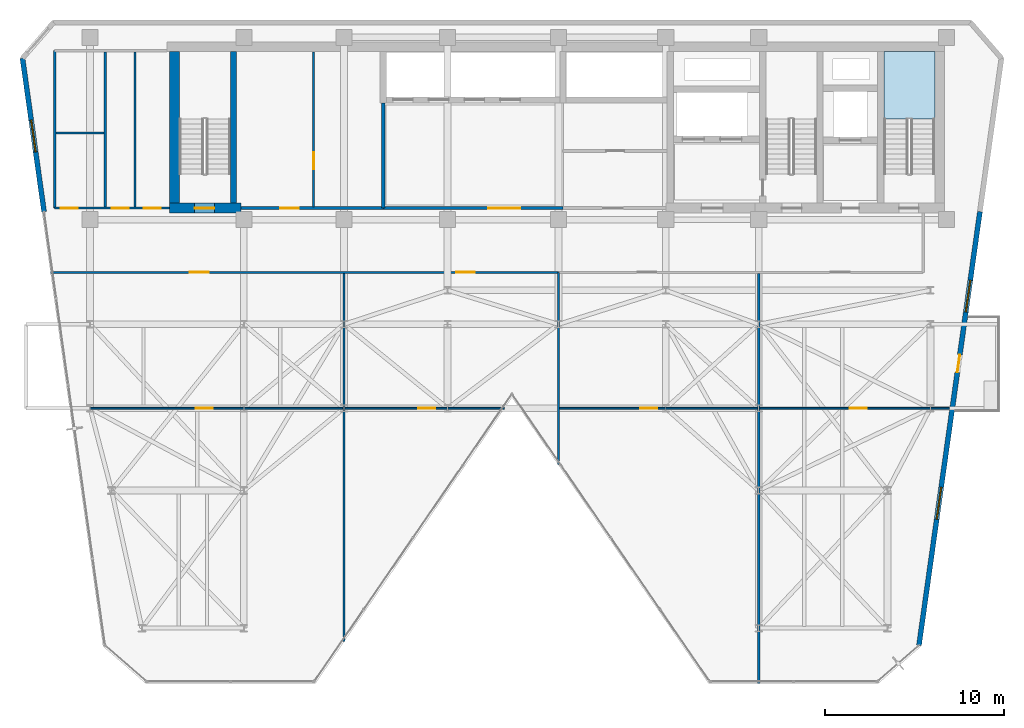
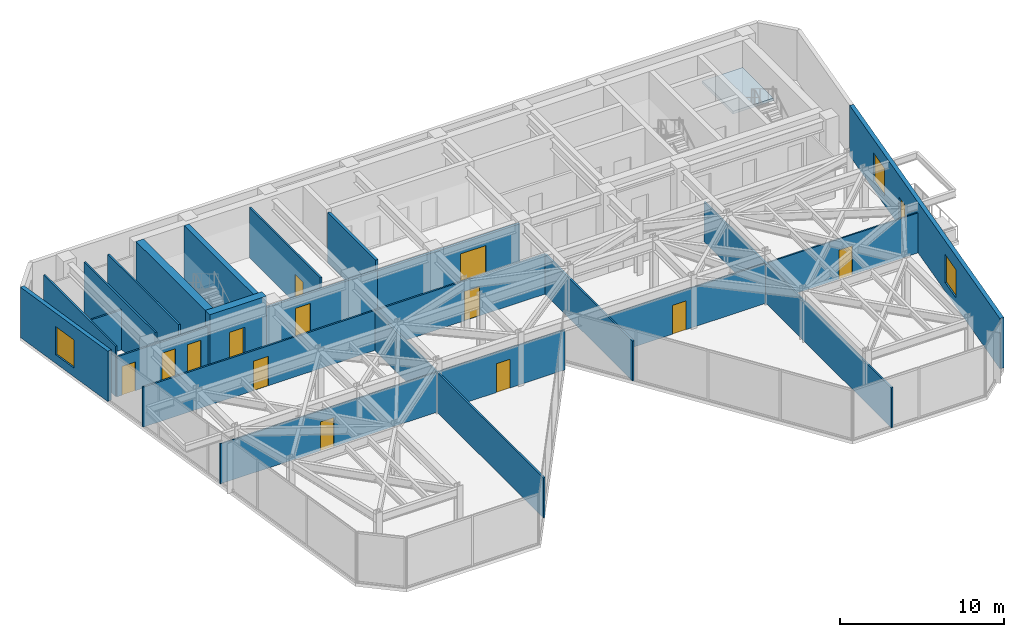
# One storey, part 22 of 26: 22 walls, 14 doors, 3 windows, 1 slab, 17 openings, 1 element without a shape of its own.
"""IFC4 building model written with IfcOpenShell, lengths in metres."""

from ifc_helpers import new_model, si_unit, direction, frame, frame_2d, origin, place, context, subcontext, project, spatial, polyline, rectangle, outline, extrude, material, layer, layer_set, type_object, element, fill, aggregate, save


model = new_model("IFC4")

# Units and contexts
model_context = context("Model", 3, precision=1e-05, world=origin(), true_north=direction((0.0, 1.0)))
body_context = subcontext(model_context, "Body", "Model", "MODEL_VIEW")
ifc_project = project(units=[si_unit("LENGTHUNIT", "METRE"), si_unit("AREAUNIT", "SQUARE_METRE"), si_unit("VOLUMEUNIT", "CUBIC_METRE"), si_unit("PLANEANGLEUNIT", "RADIAN"), si_unit("MASSUNIT", "GRAM", prefix="KILO")], contexts=[model_context])

# Site, building, storey
site_placement = place(None, origin())
site = spatial("IfcSite", under=ifc_project, at=site_placement, CompositionType="ELEMENT")
building_placement = place(site_placement, origin())
building = spatial("IfcBuilding", under=site, at=building_placement, Name="Kravanh Interchange Tower", CompositionType="ELEMENT")
storey_placement = place(building_placement, frame((0.0, 0.0, 204.5)))
storey = spatial("IfcBuildingStorey", under=building, at=storey_placement, Name="L49", CompositionType="ELEMENT", Elevation=204.5)

# Stair, slab
ifc_material_1 = material(Name="Concrete C50/60", Category="concrete")
stair_type = type_object("IfcStairType", Name="Core Fire Exit Dogleg Stair Concrete C50/60", PredefinedType="HALF_TURN_STAIR", material=ifc_material_1)
stair_placement = place(storey_placement, origin())
stair = element("IfcStair", 1, at=stair_placement, inside=storey, type_object=stair_type, Name="L49 Exit Stair ST1", PredefinedType="HALF_TURN_STAIR")
ifc_material_2 = material(Name="Concrete C50/60", Category="concrete")
ifc_layer_1 = layer(ifc_material_2, 0.199951171875)
ifc_layer_set_1 = layer_set([ifc_layer_1], Name="Concrete C50/60 Stair Half-Landing Slab 200mm")
slab_type = type_object("IfcSlabType", Name="Concrete C50/60 Stair Half-Landing Slab 200mm", PredefinedType="LANDING", material=ifc_layer_set_1)
slab_placement = place(storey_placement, frame((0.0, 0.0, 1.800048828125)))
slab = element("IfcSlab", 2, at=slab_placement, type_object=slab_type, Name="ST1 landing 1", PredefinedType="LANDING", context=body_context, shape_type="SweptSolid", body=[
    extrude(outline(polyline([(65.85009765625, 42.97998046875), (65.85009765625, 46.75), (63.0, 46.75), (63.0, 42.97998046875), (65.85009765625, 42.97998046875)])), origin(), (0.0, 0.0, 1.0), 0.199951171875),
])
aggregate(stair, [slab])

# Wall, opening, door
ifc_material_3 = material(Name="Double Acoustic Gypsum Board and Mineral Wool")
ifc_layer_2 = layer(ifc_material_3, 0.1201171875)
ifc_layer_set_2 = layer_set([ifc_layer_2], Name="Acoustic Office Drywall Partition 120mm")
wall_type_1 = type_object("IfcWallType", Name="Acoustic Office Drywall Partition 120mm", PredefinedType="PARTITIONING", material=ifc_layer_set_2)
wall_1_placement = place(storey_placement, frame((31.10009765625, 38.068115234375, 0.0), z_axis=(0.0, 0.0, 1.0), x_axis=(0.0, 1.0, 0.0)))
wall_1 = element("IfcWall", 3, at=wall_1_placement, inside=storey, type_object=wall_type_1, Name="L49 Interior Partition 5", PredefinedType="PARTITIONING", context=body_context, shape_type="SweptSolid", body=[
    extrude(rectangle(XDim=8.673828125, YDim=0.1201171875, at=frame_2d((4.3369140625, 0.0))), origin(), (0.0, 0.0, 1.0), 3.7548828125),
])
opening_1_placement = place(wall_1_placement, frame((2.115966796875, 0.0, 0.0)))
opening_1 = element("IfcOpeningElement", 4, at=opening_1_placement, cuts=wall_1, Name="Opening D-95", PredefinedType="OPENING", context=body_context, shape_type="SweptSolid", body=[
    extrude(rectangle(XDim=0.949951171875, YDim=2.14990234375, at=frame_2d((0.47509765625, 1.074951171875))), frame((0.0, 0.070068359375, 0.0), z_axis=(0.0, -1.0, 0.0), x_axis=(1.0, 0.0, 0.0)), (0.0, 0.0, 1.0), 0.14013671875),
])
ifc_material_4 = material(Name="Laminate Solid-Core Timber", Category="wood")
door_type_1 = type_object("IfcDoorType", Name="Accessible Restroom Door 950x2150", OperationType="NOTDEFINED", PredefinedType="DOOR", material=ifc_material_4)
door_1_placement = place(opening_1_placement, origin())
door_1 = element("IfcDoor", 5, at=door_1_placement, inside=storey, type_object=door_type_1, Name="L49 Reclaimed Archive Inner Door", OperationType="SINGLE_SWING_LEFT", OverallHeight=2.14990234375, OverallWidth=0.949951171875, PredefinedType="DOOR", context=body_context, shape_type="SweptSolid", body=[
    extrude(rectangle(XDim=0.949951171875, YDim=2.14990234375, at=frame_2d((0.47509765625, 1.074951171875))), frame((0.0, 0.02490234375, 0.0), z_axis=(0.0, -1.0, 0.0), x_axis=(1.0, 0.0, 0.0)), (0.0, 0.0, 1.0), 0.050048828125),
])
fill(opening_1, door_1)

# Wall, openings, doors
wall_2_placement = place(storey_placement, frame((16.6201171875, 38.0, 0.0), z_axis=(0.0, 0.0, 1.0), x_axis=(1.0, 0.0, 0.0)))
wall_2 = element("IfcWall", 6, at=wall_2_placement, inside=storey, type_object=wall_type_1, Name="L49 Restroom Corridor Wall 7", PredefinedType="PARTITIONING", context=body_context, shape_type="SweptSolid", body=[
    extrude(rectangle(XDim=6.429931640625, YDim=0.1201171875, at=frame_2d((3.21484375, 0.0))), origin(), (0.0, 0.0, 1.0), 2.98193359375),
])
opening_2_placement = place(wall_2_placement, frame((0.348876953125, 0.0, 0.0)))
opening_2 = element("IfcOpeningElement", 7, at=opening_2_placement, cuts=wall_2, Name="Opening D-95", PredefinedType="OPENING", context=body_context, shape_type="SweptSolid", body=[
    extrude(rectangle(XDim=0.949951171875, YDim=2.14990234375, at=frame_2d((0.47509765625, 1.074951171875))), frame((0.0, 0.070068359375, 0.0), z_axis=(0.0, -1.0, 0.0), x_axis=(1.0, 0.0, 0.0)), (0.0, 0.0, 1.0), 0.14013671875),
])
opening_3_placement = place(wall_2_placement, frame((3.18505859375, 0.0, 0.0)))
opening_3 = element("IfcOpeningElement", 8, at=opening_3_placement, cuts=wall_2, Name="Opening D-95", PredefinedType="OPENING", context=body_context, shape_type="SweptSolid", body=[
    extrude(rectangle(XDim=0.949951171875, YDim=2.14990234375, at=frame_2d((0.47509765625, 1.074951171875))), frame((0.0, 0.070068359375, 0.0), z_axis=(0.0, -1.0, 0.0), x_axis=(1.0, 0.0, 0.0)), (0.0, 0.0, 1.0), 0.14013671875),
])
opening_4_placement = place(wall_2_placement, frame((4.97509765625, 0.0, 0.0)))
opening_4 = element("IfcOpeningElement", 9, at=opening_4_placement, cuts=wall_2, Name="Opening D-95", PredefinedType="OPENING", context=body_context, shape_type="SweptSolid", body=[
    extrude(rectangle(XDim=0.949951171875, YDim=2.14990234375, at=frame_2d((0.47509765625, 1.074951171875))), frame((0.0, 0.070068359375, 0.0), z_axis=(0.0, -1.0, 0.0), x_axis=(1.0, 0.0, 0.0)), (0.0, 0.0, 1.0), 0.14013671875),
])
door_2_placement = place(opening_2_placement, origin())
door_2 = element("IfcDoor", 10, at=door_2_placement, inside=storey, type_object=door_type_1, Name="L49 Accessible WC Door", OperationType="SINGLE_SWING_RIGHT", OverallHeight=2.14990234375, OverallWidth=0.949951171875, PredefinedType="DOOR", context=body_context, shape_type="SweptSolid", body=[
    extrude(rectangle(XDim=0.949951171875, YDim=2.14990234375, at=frame_2d((0.47509765625, 1.074951171875))), frame((0.0, 0.02490234375, 0.0), z_axis=(0.0, -1.0, 0.0), x_axis=(1.0, 0.0, 0.0)), (0.0, 0.0, 1.0), 0.050048828125),
])
fill(opening_2, door_2)
door_3_placement = place(opening_3_placement, origin())
door_3 = element("IfcDoor", 11, at=door_3_placement, inside=storey, type_object=door_type_1, Name="L49 Female WC Door", OperationType="SINGLE_SWING_LEFT", OverallHeight=2.14990234375, OverallWidth=0.949951171875, PredefinedType="DOOR", context=body_context, shape_type="SweptSolid", body=[
    extrude(rectangle(XDim=0.949951171875, YDim=2.14990234375, at=frame_2d((0.47509765625, 1.074951171875))), frame((0.0, 0.02490234375, 0.0), z_axis=(0.0, -1.0, 0.0), x_axis=(1.0, 0.0, 0.0)), (0.0, 0.0, 1.0), 0.050048828125),
])
fill(opening_3, door_3)
door_4_placement = place(opening_4_placement, origin())
door_4 = element("IfcDoor", 12, at=door_4_placement, inside=storey, type_object=door_type_1, Name="L49 Male WC Door", OperationType="SINGLE_SWING_RIGHT", OverallHeight=2.14990234375, OverallWidth=0.949951171875, PredefinedType="DOOR", context=body_context, shape_type="SweptSolid", body=[
    extrude(rectangle(XDim=0.949951171875, YDim=2.14990234375, at=frame_2d((0.47509765625, 1.074951171875))), frame((0.0, 0.02490234375, 0.0), z_axis=(0.0, -1.0, 0.0), x_axis=(1.0, 0.0, 0.0)), (0.0, 0.0, 1.0), 0.050048828125),
])
fill(opening_4, door_4)

# Walls
wall_3_placement = place(storey_placement, frame((16.6201171875, 38.0, 0.0), z_axis=(0.0, 0.0, 1.0), x_axis=(0.0, 1.0, 0.0)))
element("IfcWall", 13, at=wall_3_placement, inside=storey, type_object=wall_type_1, Name="L49 Restroom West Enclosure 8", PredefinedType="PARTITIONING", context=body_context, shape_type="SweptSolid", body=[
    extrude(rectangle(XDim=8.800048828125, YDim=0.1201171875, at=frame_2d((4.39990234375, 0.0))), origin(), (0.0, 0.0, 1.0), 3.7548828125),
])
for number, where, z_axis, x_axis, name in (
    (14, (19.449951171875, 38.068115234375, 0.0), (0.0, 0.0, 1.0), (0.0, 1.0, 0.0), "L49 Interior Partition 10"),
    (15, (21.110107421875, 38.068115234375, 0.0), (0.0, 0.0, 1.0), (0.0, 1.0, 0.0), "L49 Interior Partition 11"),
):
    element("IfcWall", number, at=place(storey_placement, frame(where, z_axis=z_axis, x_axis=x_axis)), inside=storey, type_object=wall_type_1, Name=name, PredefinedType="PARTITIONING", context=body_context, shape_type="SweptSolid", body=[
        extrude(rectangle(XDim=8.663818359375, YDim=0.1201171875, at=frame_2d((4.33203125, 0.0))), origin(), (0.0, 0.0, 1.0), 3.7548828125),
    ])
wall_4_placement = place(storey_placement, frame((16.68798828125, 42.199951171875, 0.0), z_axis=(0.0, 0.0, 1.0), x_axis=(1.0, 0.0, 0.0)))
element("IfcWall", 16, at=wall_4_placement, inside=storey, type_object=wall_type_1, Name="L49 Interior Partition 12", PredefinedType="PARTITIONING", context=body_context, shape_type="SweptSolid", body=[
    extrude(rectangle(XDim=2.694091796875, YDim=0.1201171875, at=frame_2d((1.34716796875, 0.0))), origin(), (0.0, 0.0, 1.0), 2.98193359375),
])

# Wall, openings, doors
wall_5_placement = place(storey_placement, frame((16.396728515625, 34.39990234375, 0.0), z_axis=(0.0, 0.0, 1.0), x_axis=(1.0, 0.0, 0.0)))
wall_5 = element("IfcWall", 17, at=wall_5_placement, inside=storey, type_object=wall_type_1, Name="L49 Interior Partition 13", PredefinedType="PARTITIONING", context=body_context, shape_type="SweptSolid", body=[
    extrude(rectangle(XDim=28.4033203125, YDim=0.1201171875, at=frame_2d((14.20166015625, 0.0))), origin(), (0.0, 0.0, 1.0), 2.98193359375),
])
opening_5_placement = place(wall_5_placement, frame((7.7880859375, 0.0, 0.0)))
opening_5 = element("IfcOpeningElement", 18, at=opening_5_placement, cuts=wall_5, Name="Opening D-105", PredefinedType="OPENING", context=body_context, shape_type="SweptSolid", body=[
    extrude(rectangle(XDim=1.050048828125, YDim=2.199951171875, at=frame_2d((0.52490234375, 1.10009765625))), frame((0.0, 0.070068359375, 0.0), z_axis=(0.0, -1.0, 0.0), x_axis=(1.0, 0.0, 0.0)), (0.0, 0.0, 1.0), 0.14013671875),
])
opening_6_placement = place(wall_5_placement, frame((22.681884765625, 0.0, 0.0)))
opening_6 = element("IfcOpeningElement", 19, at=opening_6_placement, cuts=wall_5, Name="Opening D-105", PredefinedType="OPENING", context=body_context, shape_type="SweptSolid", body=[
    extrude(rectangle(XDim=1.050048828125, YDim=2.199951171875, at=frame_2d((0.52490234375, 1.10009765625))), frame((0.0, 0.070068359375, 0.0), z_axis=(0.0, -1.0, 0.0), x_axis=(1.0, 0.0, 0.0)), (0.0, 0.0, 1.0), 0.14013671875),
])
ifc_material_5 = material(Name="Acoustic Glazed Oak and Aluminium", Category="aluminium")
door_type_2 = type_object("IfcDoorType", Name="Office Workplace Door 1050x2200", OperationType="NOTDEFINED", PredefinedType="DOOR", material=ifc_material_5)
door_5_placement = place(opening_5_placement, origin())
door_5 = element("IfcDoor", 20, at=door_5_placement, inside=storey, type_object=door_type_2, Name="L49 North Culinary Kitchenette 13A Door", OperationType="SINGLE_SWING_LEFT", OverallHeight=2.199951171875, OverallWidth=1.050048828125, PredefinedType="DOOR", context=body_context, shape_type="SweptSolid", body=[
    extrude(rectangle(XDim=1.050048828125, YDim=2.199951171875, at=frame_2d((0.52490234375, 1.10009765625))), frame((0.0, 0.02490234375, 0.0), z_axis=(0.0, -1.0, 0.0), x_axis=(1.0, 0.0, 0.0)), (0.0, 0.0, 1.0), 0.050048828125),
])
fill(opening_5, door_5)
door_6_placement = place(opening_6_placement, origin())
door_6 = element("IfcDoor", 21, at=door_6_placement, inside=storey, type_object=door_type_2, Name="L49 North Briefing Meeting 13B Door", OperationType="SINGLE_SWING_LEFT", OverallHeight=2.199951171875, OverallWidth=1.050048828125, PredefinedType="DOOR", context=body_context, shape_type="SweptSolid", body=[
    extrude(rectangle(XDim=1.050048828125, YDim=2.199951171875, at=frame_2d((0.52490234375, 1.10009765625))), frame((0.0, 0.02490234375, 0.0), z_axis=(0.0, -1.0, 0.0), x_axis=(1.0, 0.0, 0.0)), (0.0, 0.0, 1.0), 0.050048828125),
])
fill(opening_6, door_6)

# Walls
wall_6_placement = place(storey_placement, frame((32.800048828125, 13.753662109375, 0.0), z_axis=(0.0, 0.0, 1.0), x_axis=(0.0, 1.0, 0.0)))
element("IfcWall", 22, at=wall_6_placement, inside=storey, type_object=wall_type_1, Name="L49 Interior Partition 17", PredefinedType="PARTITIONING", context=body_context, shape_type="SweptSolid", body=[
    extrude(rectangle(XDim=20.578369140625, YDim=0.1201171875, at=frame_2d((10.2890625, 0.0))), origin(), (0.0, 0.0, 1.0), 2.98193359375),
])
wall_7_placement = place(storey_placement, frame((44.800048828125, 23.644775390625, 0.0), z_axis=(0.0, 0.0, 1.0), x_axis=(0.0, 1.0, 0.0)))
element("IfcWall", 23, at=wall_7_placement, inside=storey, type_object=wall_type_1, Name="L49 Interior Partition 19", PredefinedType="PARTITIONING", context=body_context, shape_type="SweptSolid", body=[
    extrude(rectangle(XDim=10.755126953125, YDim=0.1201171875, at=frame_2d((5.37744140625, 0.0))), origin(), (0.0, 0.0, 1.0), 2.98193359375),
])
wall_8_placement = place(storey_placement, frame((56.0, 11.4150390625, 0.0), z_axis=(0.0, 0.0, 1.0), x_axis=(0.0, 1.0, 0.0)))
element("IfcWall", 24, at=wall_8_placement, inside=storey, type_object=wall_type_1, Name="L49 Interior Partition 21", PredefinedType="PARTITIONING", context=body_context, shape_type="SweptSolid", body=[
    extrude(rectangle(XDim=22.9169921875, YDim=0.1201171875, at=frame_2d((11.45849609375, 0.0))), origin(), (0.0, 0.0, 1.0), 2.98193359375),
])
ifc_material_6 = material(Name="Concrete C60/75", Category="concrete")
ifc_layer_3 = layer(ifc_material_6, 0.35009765625)
ifc_layer_set_3 = layer_set([ifc_layer_3], Name="Core Shear Wall Concrete C60/75 350mm")
wall_type_2 = type_object("IfcWallType", Name="Core Shear Wall Concrete C60/75 350mm", PredefinedType="SHEAR", material=ifc_layer_set_3)
wall_9_placement = place(storey_placement, frame((26.625, 38.27490234375, 0.0), z_axis=(0.0, 0.0, 1.0), x_axis=(0.0, 1.0, 0.0)))
element("IfcWall", 25, at=wall_9_placement, inside=storey, type_object=wall_type_2, Name="L49 Stair ST3 East Shear Wall", PredefinedType="SHEAR", context=body_context, shape_type="SweptSolid", body=[
    extrude(rectangle(XDim=8.47509765625, YDim=0.35009765625, at=frame_2d((4.237548828125, 0.0))), origin(), (0.0, 0.0, 1.0), 4.0),
])

# Wall, opening, door
ifc_material_7 = material(Name="Concrete C70/85", Category="concrete")
ifc_layer_4 = layer(ifc_material_7, 0.550048828125)
ifc_layer_set_4 = layer_set([ifc_layer_4], Name="Core Shear Wall Concrete C70/85 550mm")
wall_type_3 = type_object("IfcWallType", Name="Core Shear Wall Concrete C70/85 550mm", PredefinedType="SHEAR", material=ifc_layer_set_4)
wall_10_placement = place(storey_placement, frame((23.050048828125, 38.0, 0.0), z_axis=(0.0, 0.0, 1.0), x_axis=(1.0, 0.0, 0.0)))
wall_10 = element("IfcWall", 26, at=wall_10_placement, inside=storey, type_object=wall_type_3, Name="L49 Stair ST3 South Shear Wall", PredefinedType="SHEAR", context=body_context, shape_type="SweptSolid", body=[
    extrude(rectangle(XDim=4.0, YDim=0.550048828125, at=frame_2d((2.0, 0.0))), origin(), (0.0, 0.0, 1.0), 4.0),
])
opening_7_placement = place(wall_10_placement, frame((1.39990234375, 0.0, 0.0)))
opening_7 = element("IfcOpeningElement", 27, at=opening_7_placement, cuts=wall_10, Name="Opening D-STAIR-110", PredefinedType="OPENING", context=body_context, shape_type="SweptSolid", body=[
    extrude(rectangle(XDim=1.10009765625, YDim=2.199951171875, at=frame_2d((0.550048828125, 1.10009765625))), frame((0.0, 0.28515625, 0.0), z_axis=(0.0, -1.0, 0.0), x_axis=(1.0, 0.0, 0.0)), (0.0, 0.0, 1.0), 0.570068359375),
])
ifc_material_8 = material(Name="Structural Steel S355", Category="steel")
door_type_3 = type_object("IfcDoorType", Name="Fire-Rated Exit Stair Door 1100x2200", OperationType="NOTDEFINED", PredefinedType="DOOR", material=ifc_material_8)
door_7_placement = place(opening_7_placement, origin())
door_7 = element("IfcDoor", 28, at=door_7_placement, inside=storey, type_object=door_type_3, Name="L49 Exit Stair ST3 Door", OperationType="SINGLE_SWING_RIGHT", OverallHeight=2.199951171875, OverallWidth=1.10009765625, PredefinedType="DOOR", context=body_context, shape_type="SweptSolid", body=[
    extrude(rectangle(XDim=1.10009765625, YDim=2.199951171875, at=frame_2d((0.550048828125, 1.10009765625))), frame((0.0, 0.02490234375, 0.0), z_axis=(0.0, -1.0, 0.0), x_axis=(1.0, 0.0, 0.0)), (0.0, 0.0, 1.0), 0.050048828125),
])
fill(opening_7, door_7)

# Wall
wall_11_placement = place(storey_placement, frame((23.324951171875, 38.27490234375, 0.0), z_axis=(0.0, 0.0, 1.0), x_axis=(0.0, 1.0, 0.0)))
element("IfcWall", 29, at=wall_11_placement, inside=storey, type_object=wall_type_3, Name="L49 Stair ST3 West Shear Wall", PredefinedType="SHEAR", context=body_context, shape_type="SweptSolid", body=[
    extrude(rectangle(XDim=8.47509765625, YDim=0.550048828125, at=frame_2d((4.237548828125, 0.0))), origin(), (0.0, 0.0, 1.0), 4.0),
])

# Wall, opening, door
ifc_material_9 = material(Name="Moisture-Resistant Gypsum Board and Mineral Wool")
ifc_layer_5 = layer(ifc_material_9, 0.10009765625)
ifc_layer_set_5 = layer_set([ifc_layer_5], Name="En-Suite Moisture-Resistant Partition 100mm")
wall_type_4 = type_object("IfcWallType", Name="En-Suite Moisture-Resistant Partition 100mm", PredefinedType="PARTITIONING", material=ifc_layer_set_5)
wall_12_placement = place(storey_placement, frame((17.46484375, 26.800048828125, 0.0), z_axis=(0.0, 0.0, 1.0), x_axis=(1.0, 0.0, 0.0)))
wall_12 = element("IfcWall", 30, at=wall_12_placement, inside=storey, type_object=wall_type_4, Name="L49 Interior Partition 16", PredefinedType="PARTITIONING", context=body_context, shape_type="SweptSolid", body=[
    extrude(rectangle(XDim=15.26708984375, YDim=0.10009765625, at=frame_2d((7.633544921875, 0.0))), origin(), (0.0, 0.0, 1.0), 2.98193359375),
])
opening_8_placement = place(wall_12_placement, frame((7.047607421875, 0.0, 0.0)))
opening_8 = element("IfcOpeningElement", 31, at=opening_8_placement, cuts=wall_12, Name="Opening D-95", PredefinedType="OPENING", context=body_context, shape_type="SweptSolid", body=[
    extrude(rectangle(XDim=0.949951171875, YDim=2.14990234375, at=frame_2d((0.47509765625, 1.074951171875))), frame((0.0, 0.06005859375, 0.0), z_axis=(0.0, -1.0, 0.0), x_axis=(1.0, 0.0, 0.0)), (0.0, 0.0, 1.0), 0.1201171875),
])
door_8_placement = place(opening_8_placement, origin())
door_8 = element("IfcDoor", 32, at=door_8_placement, inside=storey, type_object=door_type_1, Name="L49 SW Catering Kitchenette 13E Inner Door", OperationType="SINGLE_SWING_RIGHT", OverallHeight=2.14990234375, OverallWidth=0.949951171875, PredefinedType="DOOR", context=body_context, shape_type="SweptSolid", body=[
    extrude(rectangle(XDim=0.949951171875, YDim=2.14990234375, at=frame_2d((0.47509765625, 1.074951171875))), frame((0.0, 0.02490234375, 0.0), z_axis=(0.0, -1.0, 0.0), x_axis=(1.0, 0.0, 0.0)), (0.0, 0.0, 1.0), 0.050048828125),
])
fill(opening_8, door_8)

wall_13_placement = place(storey_placement, frame((32.867919921875, 26.800048828125, 0.0), z_axis=(0.0, 0.0, 1.0), x_axis=(1.0, 0.0, 0.0)))
wall_13 = element("IfcWall", 33, at=wall_13_placement, inside=storey, type_object=wall_type_4, Name="L49 Interior Partition 18", PredefinedType="PARTITIONING", context=body_context, shape_type="SweptSolid", body=[
    extrude(rectangle(XDim=8.9013671875, YDim=0.10009765625, at=frame_2d((4.45068359375, 0.0))), origin(), (0.0, 0.0, 1.0), 2.98193359375),
])
opening_9_placement = place(wall_13_placement, frame((4.086669921875, 0.0, 0.0)))
opening_9 = element("IfcOpeningElement", 34, at=opening_9_placement, cuts=wall_13, Name="Opening D-95", PredefinedType="OPENING", context=body_context, shape_type="SweptSolid", body=[
    extrude(rectangle(XDim=0.949951171875, YDim=2.14990234375, at=frame_2d((0.47509765625, 1.074951171875))), frame((0.0, 0.06005859375, 0.0), z_axis=(0.0, -1.0, 0.0), x_axis=(1.0, 0.0, 0.0)), (0.0, 0.0, 1.0), 0.1201171875),
])
door_9_placement = place(opening_9_placement, origin())
door_9 = element("IfcDoor", 35, at=door_9_placement, inside=storey, type_object=door_type_1, Name="L49 South Caucus Meeting 13F Inner Door", OperationType="SINGLE_SWING_RIGHT", OverallHeight=2.14990234375, OverallWidth=0.949951171875, PredefinedType="DOOR", context=body_context, shape_type="SweptSolid", body=[
    extrude(rectangle(XDim=0.949951171875, YDim=2.14990234375, at=frame_2d((0.47509765625, 1.074951171875))), frame((0.0, 0.02490234375, 0.0), z_axis=(0.0, -1.0, 0.0), x_axis=(1.0, 0.0, 0.0)), (0.0, 0.0, 1.0), 0.050048828125),
])
fill(opening_9, door_9)

wall_14_placement = place(storey_placement, frame((44.867919921875, 26.800048828125, 0.0), z_axis=(0.0, 0.0, 1.0), x_axis=(1.0, 0.0, 0.0)))
wall_14 = element("IfcWall", 36, at=wall_14_placement, inside=storey, type_object=wall_type_4, Name="L49 Interior Partition 20", PredefinedType="PARTITIONING", context=body_context, shape_type="SweptSolid", body=[
    extrude(rectangle(XDim=11.06396484375, YDim=0.10009765625, at=frame_2d((5.531982421875, 0.0))), origin(), (0.0, 0.0, 1.0), 2.98193359375),
])
opening_10_placement = place(wall_14_placement, frame((4.492919921875, 0.0, 0.0)))
opening_10 = element("IfcOpeningElement", 37, at=opening_10_placement, cuts=wall_14, Name="Opening D-95", PredefinedType="OPENING", context=body_context, shape_type="SweptSolid", body=[
    extrude(rectangle(XDim=0.949951171875, YDim=2.14990234375, at=frame_2d((0.47509765625, 1.074951171875))), frame((0.0, 0.06005859375, 0.0), z_axis=(0.0, -1.0, 0.0), x_axis=(1.0, 0.0, 0.0)), (0.0, 0.0, 1.0), 0.1201171875),
])
door_10_placement = place(opening_10_placement, origin())
door_10 = element("IfcDoor", 38, at=door_10_placement, inside=storey, type_object=door_type_1, Name="L49 South Seminar Meeting 13G Inner Door", OperationType="SINGLE_SWING_RIGHT", OverallHeight=2.14990234375, OverallWidth=0.949951171875, PredefinedType="DOOR", context=body_context, shape_type="SweptSolid", body=[
    extrude(rectangle(XDim=0.949951171875, YDim=2.14990234375, at=frame_2d((0.47509765625, 1.074951171875))), frame((0.0, 0.02490234375, 0.0), z_axis=(0.0, -1.0, 0.0), x_axis=(1.0, 0.0, 0.0)), (0.0, 0.0, 1.0), 0.050048828125),
])
fill(opening_10, door_10)

wall_15_placement = place(storey_placement, frame((56.068115234375, 26.800048828125, 0.0), z_axis=(0.0, 0.0, 1.0), x_axis=(1.0, 0.0, 0.0)))
wall_15 = element("IfcWall", 39, at=wall_15_placement, inside=storey, type_object=wall_type_4, Name="L49 Interior Partition 22", PredefinedType="PARTITIONING", context=body_context, shape_type="SweptSolid", body=[
    extrude(rectangle(XDim=10.59423828125, YDim=0.10009765625, at=frame_2d((5.297119140625, 0.0))), origin(), (0.0, 0.0, 1.0), 2.98193359375),
])
opening_11_placement = place(wall_15_placement, frame((5.029541015625, 0.0, 0.0)))
opening_11 = element("IfcOpeningElement", 40, at=opening_11_placement, cuts=wall_15, Name="Opening D-95", PredefinedType="OPENING", context=body_context, shape_type="SweptSolid", body=[
    extrude(rectangle(XDim=0.949951171875, YDim=2.14990234375, at=frame_2d((0.47509765625, 1.074951171875))), frame((0.0, 0.06005859375, 0.0), z_axis=(0.0, -1.0, 0.0), x_axis=(1.0, 0.0, 0.0)), (0.0, 0.0, 1.0), 0.1201171875),
])
door_11_placement = place(opening_11_placement, origin())
door_11 = element("IfcDoor", 41, at=door_11_placement, inside=storey, type_object=door_type_1, Name="L49 SE Archive Store 13H Inner Door", OperationType="SINGLE_SWING_RIGHT", OverallHeight=2.14990234375, OverallWidth=0.949951171875, PredefinedType="DOOR", context=body_context, shape_type="SweptSolid", body=[
    extrude(rectangle(XDim=0.949951171875, YDim=2.14990234375, at=frame_2d((0.47509765625, 1.074951171875))), frame((0.0, 0.02490234375, 0.0), z_axis=(0.0, -1.0, 0.0), x_axis=(1.0, 0.0, 0.0)), (0.0, 0.0, 1.0), 0.050048828125),
])
fill(opening_11, door_11)

# Wall, opening, window
ifc_material_10 = material(Name="Insulated Precast Concrete C40/50 with Bronze Cladding", Category="concrete")
ifc_layer_6 = layer(ifc_material_10, 0.280029296875)
ifc_layer_set_6 = layer_set([ifc_layer_6], Name="Exterior Insulated Concrete C40/50 Bronze Spandrel Wall 280mm")
wall_type_5 = type_object("IfcWallType", Name="Exterior Insulated Concrete C40/50 Bronze Spandrel Wall 280mm", PredefinedType="STANDARD", material=ifc_layer_set_6)
wall_16_placement = place(storey_placement, frame((16.02490234375, 37.800048828125, 0.0), z_axis=(0.0, 0.0, 1.0), x_axis=(-0.13918102754, 0.990266954701, 0.0)))
wall_16 = element("IfcWall", 42, at=wall_16_placement, inside=storey, type_object=wall_type_5, Name="L49 Exterior Wall 1", PredefinedType="STANDARD", context=body_context, shape_type="SweptSolid", body=[
    extrude(rectangle(XDim=8.667236328125, YDim=0.280029296875, at=frame_2d((4.33349609375, 0.0))), origin(), (0.0, 0.0, 1.0), 3.7548828125),
])
opening_12_placement = place(wall_16_placement, frame((3.37353515625, 0.0, 0.64990234375)))
opening_12 = element("IfcOpeningElement", 43, at=opening_12_placement, cuts=wall_16, Name="Opening WN-180X210", PredefinedType="OPENING", context=body_context, shape_type="SweptSolid", body=[
    extrude(rectangle(XDim=1.800048828125, YDim=2.10009765625, at=frame_2d((0.89990234375, 1.050048828125))), frame((0.0, 0.14990234375, 0.0), z_axis=(0.0, -1.0, 0.0), x_axis=(1.0, 0.0, 0.0)), (0.0, 0.0, 1.0), 0.300048828125),
])
ifc_material_11 = material(Name="Thermally Broken Bronze Aluminium and Low-E Glass", Category="aluminium")
window_type = type_object("IfcWindowType", Name="Tower Pier Window 1800x2100", PartitioningType="SINGLE_PANEL", PredefinedType="WINDOW", material=ifc_material_11)
window_1_placement = place(opening_12_placement, origin())
window_1 = element("IfcWindow", 44, at=window_1_placement, inside=storey, type_object=window_type, Name="L49 Corner Window 1", OverallHeight=2.10009765625, OverallWidth=1.800048828125, PartitioningType="SINGLE_PANEL", PredefinedType="WINDOW", context=body_context, shape_type="SweptSolid", body=[
    extrude(rectangle(XDim=1.800048828125, YDim=2.10009765625, at=frame_2d((0.89990234375, 1.050048828125))), frame((0.0, 0.030029296875, 0.0), z_axis=(0.0, -1.0, 0.0), x_axis=(1.0, 0.0, 0.0)), (0.0, 0.0, 1.0), 0.06005859375),
])
fill(opening_12, window_1)

# Wall, openings, door, windows
wall_17_placement = place(storey_placement, frame((68.375, 37.800048828125, 0.0), z_axis=(0.0, 0.0, 1.0), x_axis=(-0.139173290738, -0.99026804207, 0.0)))
wall_17 = element("IfcWall", 45, at=wall_17_placement, inside=storey, type_object=wall_type_5, Name="L49 Exterior Wall 6", PredefinedType="STANDARD", context=body_context, shape_type="SweptSolid", body=[
    extrude(rectangle(XDim=24.497802734375, YDim=0.280029296875, at=frame_2d((12.2490234375, 0.0))), origin(), (0.0, 0.0, 1.0), 3.7548828125),
])
opening_13_placement = place(wall_17_placement, frame((8.076904296875, 0.0, 0.0)))
opening_13 = element("IfcOpeningElement", 46, at=opening_13_placement, cuts=wall_17, Name="Opening ED-BAL100", PredefinedType="OPENING", context=body_context, shape_type="SweptSolid", body=[
    extrude(rectangle(XDim=1.0, YDim=2.14990234375, at=frame_2d((0.5, 1.074951171875))), frame((0.0, 0.14990234375, 0.0), z_axis=(0.0, -1.0, 0.0), x_axis=(1.0, 0.0, 0.0)), (0.0, 0.0, 1.0), 0.300048828125),
])
opening_14_placement = place(wall_17_placement, frame((3.869140625, 0.0, 0.64990234375)))
opening_14 = element("IfcOpeningElement", 47, at=opening_14_placement, cuts=wall_17, Name="Opening WN-180X210", PredefinedType="OPENING", context=body_context, shape_type="SweptSolid", body=[
    extrude(rectangle(XDim=1.800048828125, YDim=2.10009765625, at=frame_2d((0.89990234375, 1.050048828125))), frame((0.0, 0.14990234375, 0.0), z_axis=(0.0, -1.0, 0.0), x_axis=(1.0, 0.0, 0.0)), (0.0, 0.0, 1.0), 0.300048828125),
])
opening_15_placement = place(wall_17_placement, frame((15.5712890625, 0.0, 0.64990234375)))
opening_15 = element("IfcOpeningElement", 48, at=opening_15_placement, cuts=wall_17, Name="Opening WN-180X210", PredefinedType="OPENING", context=body_context, shape_type="SweptSolid", body=[
    extrude(rectangle(XDim=1.800048828125, YDim=2.10009765625, at=frame_2d((0.89990234375, 1.050048828125))), frame((0.0, 0.14990234375, 0.0), z_axis=(0.0, -1.0, 0.0), x_axis=(1.0, 0.0, 0.0)), (0.0, 0.0, 1.0), 0.300048828125),
])
ifc_material_12 = material(Name="Thermally Broken Bronze Aluminium and Laminated Glass", Category="aluminium")
door_type_4 = type_object("IfcDoorType", Name="Balcony Glazed Door 1000x2150", OperationType="NOTDEFINED", PredefinedType="DOOR", material=ifc_material_12)
door_12_placement = place(opening_13_placement, origin())
door_12 = element("IfcDoor", 49, at=door_12_placement, inside=storey, type_object=door_type_4, Name="L49 E Tree Balcony Access Door", OperationType="SINGLE_SWING_RIGHT", OverallHeight=2.14990234375, OverallWidth=1.0, PredefinedType="DOOR", context=body_context, shape_type="SweptSolid", body=[
    extrude(rectangle(XDim=1.0, YDim=2.14990234375, at=frame_2d((0.5, 1.074951171875))), frame((0.0, 0.02490234375, 0.0), z_axis=(0.0, -1.0, 0.0), x_axis=(1.0, 0.0, 0.0)), (0.0, 0.0, 1.0), 0.050048828125),
])
fill(opening_13, door_12)
window_2_placement = place(opening_14_placement, origin())
window_2 = element("IfcWindow", 50, at=window_2_placement, inside=storey, type_object=window_type, Name="L49 Facade Window 6A", OverallHeight=2.10009765625, OverallWidth=1.800048828125, PartitioningType="SINGLE_PANEL", PredefinedType="WINDOW", context=body_context, shape_type="SweptSolid", body=[
    extrude(rectangle(XDim=1.800048828125, YDim=2.10009765625, at=frame_2d((0.89990234375, 1.050048828125))), frame((0.0, 0.030029296875, 0.0), z_axis=(0.0, -1.0, 0.0), x_axis=(1.0, 0.0, 0.0)), (0.0, 0.0, 1.0), 0.06005859375),
])
fill(opening_14, window_2)
window_3_placement = place(opening_15_placement, origin())
window_3 = element("IfcWindow", 51, at=window_3_placement, inside=storey, type_object=window_type, Name="L49 Facade Window 6B", OverallHeight=2.10009765625, OverallWidth=1.800048828125, PartitioningType="SINGLE_PANEL", PredefinedType="WINDOW", context=body_context, shape_type="SweptSolid", body=[
    extrude(rectangle(XDim=1.800048828125, YDim=2.10009765625, at=frame_2d((0.89990234375, 1.050048828125))), frame((0.0, 0.030029296875, 0.0), z_axis=(0.0, -1.0, 0.0), x_axis=(1.0, 0.0, 0.0)), (0.0, 0.0, 1.0), 0.06005859375),
])
fill(opening_15, window_3)

# Wall
ifc_material_13 = material(Name="Autoclaved Aerated Concrete C30/37 Blockwork", Category="masonry")
ifc_layer_7 = layer(ifc_material_13, 0.179931640625)
ifc_layer_set_7 = layer_set([ifc_layer_7], Name="Fire-Rated Lobby and Corridor Wall Concrete C30/37 180mm")
wall_type_6 = type_object("IfcWallType", Name="Fire-Rated Lobby and Corridor Wall Concrete C30/37 180mm", PredefinedType="STANDARD", material=ifc_layer_set_7)
wall_18_placement = place(storey_placement, frame((35.0, 38.0, 0.0), z_axis=(0.0, 0.0, 1.0), x_axis=(0.0, 1.0, 0.0)))
element("IfcWall", 52, at=wall_18_placement, inside=storey, type_object=wall_type_6, Name="L49 Interior Partition 4", PredefinedType="STANDARD", context=body_context, shape_type="SweptSolid", body=[
    extrude(rectangle(XDim=5.875, YDim=0.179931640625, at=frame_2d((2.9375, 0.0))), origin(), (0.0, 0.0, 1.0), 3.7548828125),
])

# Wall, opening, door
wall_19_placement = place(storey_placement, frame((35.0, 38.0, 0.0), z_axis=(0.0, 0.0, 1.0), x_axis=(1.0, 0.0, 0.0)))
wall_19 = element("IfcWall", 53, at=wall_19_placement, inside=storey, type_object=wall_type_6, Name="L49 Interior Partition 6", PredefinedType="STANDARD", context=body_context, shape_type="SweptSolid", body=[
    extrude(rectangle(XDim=10.050048828125, YDim=0.179931640625, at=frame_2d((5.02490234375, 0.0))), origin(), (0.0, 0.0, 1.0), 2.98193359375),
])
opening_16_placement = place(wall_19_placement, frame((5.85791015625, 0.0, 0.0)))
opening_16 = element("IfcOpeningElement", 54, at=opening_16_placement, cuts=wall_19, Name="Opening DBL-180", PredefinedType="OPENING", context=body_context, shape_type="SweptSolid", body=[
    extrude(rectangle(XDim=1.800048828125, YDim=2.199951171875, at=frame_2d((0.89990234375, 1.10009765625))), frame((0.0, 0.10009765625, 0.0), z_axis=(0.0, -1.0, 0.0), x_axis=(1.0, 0.0, 0.0)), (0.0, 0.0, 1.0), 0.199951171875),
])
ifc_material_14 = material(Name="Structural Steel S355", Category="steel")
door_type_5 = type_object("IfcDoorType", Name="Lift Lobby Double Fire Door 1800x2200", OperationType="DOUBLE_DOOR_SINGLE_SWING", PredefinedType="DOOR", material=ifc_material_14)
door_13_placement = place(opening_16_placement, origin())
door_13 = element("IfcDoor", 55, at=door_13_placement, inside=storey, type_object=door_type_5, Name="L49 Mid-Rise Lift Lobby Door", OperationType="DOUBLE_DOOR_SINGLE_SWING", OverallHeight=2.199951171875, OverallWidth=1.800048828125, PredefinedType="DOOR", context=body_context, shape_type="SweptSolid", body=[
    extrude(rectangle(XDim=1.800048828125, YDim=2.199951171875, at=frame_2d((0.89990234375, 1.10009765625))), frame((0.0, 0.02490234375, 0.0), z_axis=(0.0, -1.0, 0.0), x_axis=(1.0, 0.0, 0.0)), (0.0, 0.0, 1.0), 0.050048828125),
])
fill(opening_16, door_13)

ifc_material_15 = material(Name="Twin Stud Acoustic Gypsum Board Wall")
ifc_layer_8 = layer(ifc_material_15, 0.14990234375)
ifc_layer_set_8 = layer_set([ifc_layer_8], Name="Medium-Duty Acoustic Partition 150mm")
wall_type_7 = type_object("IfcWallType", Name="Medium-Duty Acoustic Partition 150mm", PredefinedType="PARTITIONING", material=ifc_layer_set_8)
wall_20_placement = place(storey_placement, frame((27.050048828125, 38.0, 0.0), z_axis=(0.0, 0.0, 1.0), x_axis=(1.0, 0.0, 0.0)))
wall_20 = element("IfcWall", 56, at=wall_20_placement, inside=storey, type_object=wall_type_7, Name="L49 Interior Partition 3", PredefinedType="PARTITIONING", context=body_context, shape_type="SweptSolid", body=[
    extrude(rectangle(XDim=7.949951171875, YDim=0.14990234375, at=frame_2d((3.97509765625, 0.0))), origin(), (0.0, 0.0, 1.0), 2.98193359375),
])
opening_17_placement = place(wall_20_placement, frame((2.175048828125, 0.0, 0.0)))
opening_17 = element("IfcOpeningElement", 57, at=opening_17_placement, cuts=wall_20, Name="Opening D-105", PredefinedType="OPENING", context=body_context, shape_type="SweptSolid", body=[
    extrude(rectangle(XDim=1.050048828125, YDim=2.199951171875, at=frame_2d((0.52490234375, 1.10009765625))), frame((0.0, 0.0849609375, 0.0), z_axis=(0.0, -1.0, 0.0), x_axis=(1.0, 0.0, 0.0)), (0.0, 0.0, 1.0), 0.169921875),
])
door_14_placement = place(opening_17_placement, origin())
door_14 = element("IfcDoor", 58, at=door_14_placement, inside=storey, type_object=door_type_2, Name="L49 Reclaimed IT Hub Door", OperationType="SINGLE_SWING_RIGHT", OverallHeight=2.199951171875, OverallWidth=1.050048828125, PredefinedType="DOOR", context=body_context, shape_type="SweptSolid", body=[
    extrude(rectangle(XDim=1.050048828125, YDim=2.199951171875, at=frame_2d((0.52490234375, 1.10009765625))), frame((0.0, 0.02490234375, 0.0), z_axis=(0.0, -1.0, 0.0), x_axis=(1.0, 0.0, 0.0)), (0.0, 0.0, 1.0), 0.050048828125),
])
fill(opening_17, door_14)

save(model, "model.ifc")
